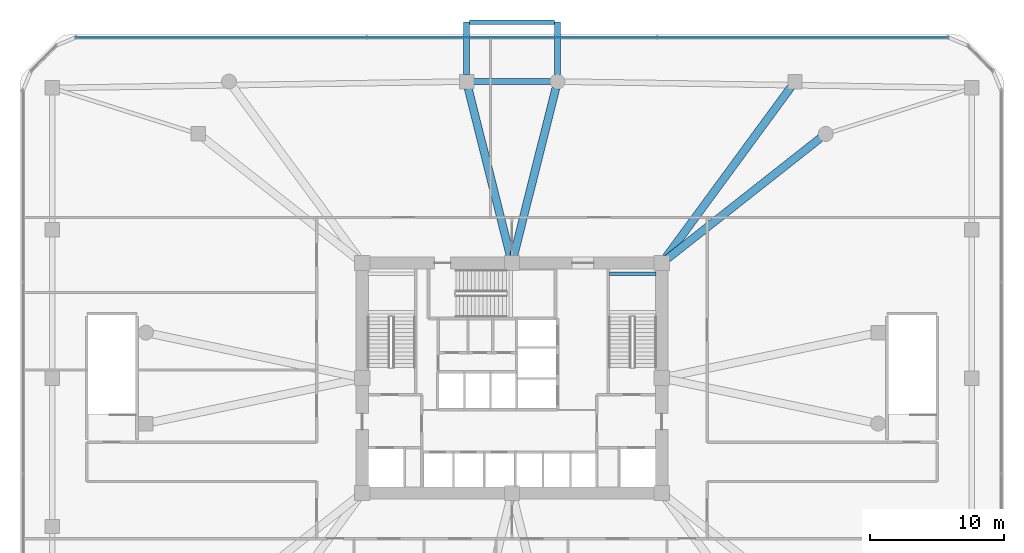
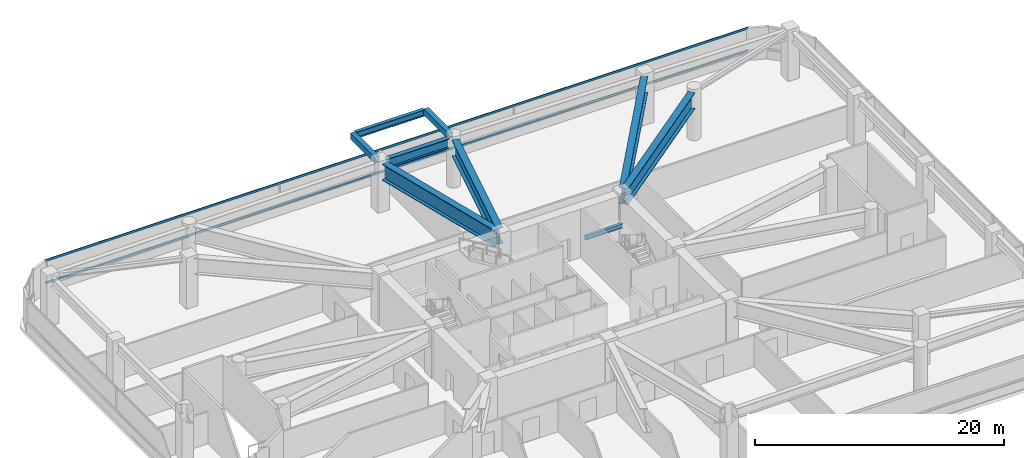
# One storey, part 7 of 21: 9 beams, 2 members, 1 element without a shape of its own.
"""IFC4 building model written with IfcOpenShell, lengths in metres."""

from ifc_helpers import new_model, si_unit, derived_unit, direction, frame, origin, origin_2d, place, context, subcontext, project, spatial, rectangle, i_section, extrude, material, material_profile, profile_set, type_object, element, aggregate, save


model = new_model("IFC4")

# Units and contexts
model_context = context("Model", 3, precision=1e-05, world=origin(), true_north=direction((0.0, 1.0)))
body_context = subcontext(model_context, "Body", "Model", "MODEL_VIEW")
ifc_project = project(units=[si_unit("LENGTHUNIT", "METRE"), si_unit("AREAUNIT", "SQUARE_METRE"), si_unit("VOLUMEUNIT", "CUBIC_METRE"), si_unit("PLANEANGLEUNIT", "RADIAN"), si_unit("MASSUNIT", "GRAM", prefix="KILO"), derived_unit("THERMALTRANSMITTANCEUNIT", [(si_unit("POWERUNIT", "WATT"), 1), (si_unit("LENGTHUNIT", "METRE"), -2), (si_unit("THERMODYNAMICTEMPERATUREUNIT", "KELVIN"), -1)])], contexts=[model_context])

# Site, building, storey
site_placement = place(None, origin())
site = spatial("IfcSite", under=ifc_project, at=site_placement, CompositionType="ELEMENT")
building_placement = place(site_placement, origin())
building = spatial("IfcBuilding", under=site, at=building_placement, Name="Koralith Skygarden Medical Center", CompositionType="ELEMENT")
storey_placement = place(building_placement, frame((0.0, 0.0, 18.89990234375)))
storey = spatial("IfcBuildingStorey", under=building, at=storey_placement, Name="L04", CompositionType="ELEMENT", Elevation=18.89990234375)

# Curtain wall, members
ifc_material_1 = material(Name="Clear Laminated Glass", Category="glass")
curtain_wall_type = type_object("IfcCurtainWallType", Name="CW-1 Transit & Podium Acoustic Curtain Wall", PredefinedType="NOTDEFINED", material=ifc_material_1)
curtain_wall_placement = place(storey_placement, origin())
curtain_wall = element("IfcCurtainWall", 1, at=curtain_wall_placement, inside=storey, type_object=curtain_wall_type, Name="Curtain Wall CW-L04-N", PredefinedType="NOTDEFINED")
ifc_material_2 = material(Name="Aluminium 6063-T6", Category="aluminium")
ifc_material_profile_1 = material_profile(ifc_material_2, rectangle(XDim=0.06298828125, YDim=0.216064453125, at=origin_2d()), Name="TRN63X216")
ifc_profile_set_1 = profile_set([ifc_material_profile_1], Name="Aluminium 6063-T6")
member_type = type_object("IfcMemberType", Name="CW-1 Thermal Transom 63x216", PredefinedType="USERDEFINED", material=ifc_profile_set_1)
member_1_placement = place(storey_placement, frame((69.62109375, 51.3798828125, 0.900146484375), z_axis=(-1.0, 0.0, 0.0), x_axis=(0.0, -1.0, 0.0)))
member_1 = element("IfcMember", 2, at=member_1_placement, type_object=member_type, Name="CW-L04-N Transom 1", ObjectType="TRANSOM", PredefinedType="USERDEFINED", context=body_context, shape_type="SweptSolid", body=[
    extrude(rectangle(XDim=0.06298828125, YDim=0.216064453125, at=origin_2d()), origin(), (0.0, 0.0, 1.0), 65.2421875),
])
member_2_placement = place(storey_placement, frame((69.62109375, 51.3798828125, 3.10009765625), z_axis=(-1.0, 0.0, 0.0), x_axis=(0.0, -1.0, 0.0)))
member_2 = element("IfcMember", 3, at=member_2_placement, type_object=member_type, Name="CW-L04-N Transom 2", ObjectType="TRANSOM", PredefinedType="USERDEFINED", context=body_context, shape_type="SweptSolid", body=[
    extrude(rectangle(XDim=0.06298828125, YDim=0.216064453125, at=origin_2d()), origin(), (0.0, 0.0, 1.0), 65.2421875),
])
aggregate(curtain_wall, [member_1, member_2])

# Beams
ifc_material_3 = material(Name="Steel ASTM A992 Grade 50", Category="steel")
ifc_material_profile_2 = material_profile(ifc_material_3, i_section(OverallWidth=0.326904296875, OverallDepth=0.6220703125, WebThickness=0.015380859375, FlangeThickness=0.0244140625, at=origin_2d()), Name="W24X131")
ifc_profile_set_2 = profile_set([ifc_material_profile_2], Name="Steel ASTM A992 Grade 50")
beam_type_1 = type_object("IfcBeamType", Name="Cantilever Tie Beam W24X131", PredefinedType="BEAM", material=ifc_profile_set_2)
beam_1_placement = place(storey_placement, frame((33.820068359375, 52.52001953125, 4.468994140625), z_axis=(1.0, 0.0, 0.0), x_axis=(0.0, 1.0, 0.0)))
element("IfcBeam", 4, at=beam_1_placement, inside=storey, type_object=beam_type_1, Name="L05 N Balcony Tip Tie Beam", PredefinedType="BEAM", context=body_context, shape_type="SweptSolid", body=[
    extrude(i_section(OverallWidth=0.326904296875, OverallDepth=0.6220703125, WebThickness=0.015380859375, FlangeThickness=0.0244140625, at=origin_2d()), origin(), (0.0, 0.0, 1.0), 6.35986328125),
])
ifc_material_profile_3 = material_profile(ifc_material_3, i_section(OverallWidth=0.260009765625, OverallDepth=0.4150390625, WebThickness=0.010009765625, FlangeThickness=0.016845703125, at=origin_2d()), Name="W16X67")
ifc_profile_set_3 = profile_set([ifc_material_profile_3], Name="Steel ASTM A992 Grade 50")
beam_type_2 = type_object("IfcBeamType", Name="Clinical Floor Joist W16X67", PredefinedType="JOIST", material=ifc_profile_set_3)
beam_2_placement = place(storey_placement, frame((44.280029296875, 33.699951171875, 2.113037109375), z_axis=(1.0, 0.0, 0.0), x_axis=(0.0, 1.0, 0.0)))
element("IfcBeam", 5, at=beam_2_placement, inside=storey, type_object=beam_type_2, Name="L04 Stair ST2 Half-Landing Support Beam 1B", PredefinedType="JOIST", context=body_context, shape_type="SweptSolid", body=[
    extrude(i_section(OverallWidth=0.260009765625, OverallDepth=0.4150390625, WebThickness=0.010009765625, FlangeThickness=0.016845703125, at=origin_2d()), origin(), (0.0, 0.0, 1.0), 3.489990234375),
])
ifc_material_4 = material(Name="Concrete C45/55", Category="concrete")
ifc_material_profile_4 = material_profile(ifc_material_4, rectangle(XDim=0.449951171875, YDim=0.60009765625, at=origin_2d()), Name="RCB450X600")
ifc_profile_set_4 = profile_set([ifc_material_profile_4], Name="Concrete C45/55")
beam_type_3 = type_object("IfcBeamType", Name="Planted Balcony Cantilever Beam RCB450X600", PredefinedType="BEAM", material=ifc_profile_set_4)
for number, where, z_axis, x_axis, name in (
    (6, (33.60009765625, 48.60009765625, 4.47998046875), (0.0, 1.0, 0.0), (-1.0, 0.0, 0.0), "L05 N Balcony Cantilever Beam A"),
    (7, (40.39990234375, 48.60009765625, 4.47998046875), (0.0, 1.0, 0.0), (-1.0, 0.0, 0.0), "L05 N Balcony Cantilever Beam B"),
):
    element("IfcBeam", number, at=place(storey_placement, frame(where, z_axis=z_axis, x_axis=x_axis)), inside=storey, type_object=beam_type_3, Name=name, PredefinedType="BEAM", context=body_context, shape_type="SweptSolid", body=[
        extrude(rectangle(XDim=0.449951171875, YDim=0.60009765625, at=origin_2d()), origin(), (0.0, 0.0, 1.0), 3.919921875),
    ])
ifc_material_profile_5 = material_profile(ifc_material_3, i_section(OverallWidth=0.423095703125, OverallDepth=0.947998046875, WebThickness=0.02392578125, FlangeThickness=0.042724609375, at=origin_2d()), Name="W36X302")
ifc_profile_set_5 = profile_set([ifc_material_profile_5], Name="Steel ASTM A992 Grade 50")
beam_type_4 = type_object("IfcBeamType", Name="Podium Concourse Girder W36X302", PredefinedType="BEAM", material=ifc_profile_set_5)
beam_3_placement = place(storey_placement, frame((39.8798828125, 48.080078125, 4.2861328125), z_axis=(-1.0, 0.0, 0.0), x_axis=(0.0, -1.0, 0.0)))
element("IfcBeam", 8, at=beam_3_placement, inside=storey, type_object=beam_type_4, Name="L04 Podium Perimeter Beam PB-10", PredefinedType="BEAM", context=body_context, shape_type="SweptSolid", body=[
    extrude(i_section(OverallWidth=0.423095703125, OverallDepth=0.947998046875, WebThickness=0.02392578125, FlangeThickness=0.042724609375, at=origin_2d()), origin(), (0.0, 0.0, 1.0), 5.759765625),
])
ifc_material_profile_6 = material_profile(ifc_material_3, i_section(OverallWidth=0.60009765625, OverallDepth=1.60009765625, WebThickness=0.031982421875, FlangeThickness=0.06005859375, at=origin_2d()), Name="BG1600X600X60X32")
ifc_profile_set_6 = profile_set([ifc_material_profile_6], Name="Steel ASTM A992 Grade 50")
beam_type_5 = type_object("IfcBeamType", Name="Podium Transfer Girder BG1600", PredefinedType="USERDEFINED", material=ifc_profile_set_6)
beam_4_placement = place(storey_placement, frame((48.639892578125, 34.846923828125, 3.960205078125), z_axis=(0.785504791859, 0.618855574401, 0.0), x_axis=(-0.618855574401, 0.785504791859, 0.0)))
element("IfcBeam", 9, at=beam_4_placement, inside=storey, type_object=beam_type_5, Name="L04 Podium Radial Girder PRG-10", ObjectType="TRANSFER GIRDER", PredefinedType="USERDEFINED", context=body_context, shape_type="SweptSolid", body=[
    extrude(i_section(OverallWidth=0.60009765625, OverallDepth=1.60009765625, WebThickness=0.031982421875, FlangeThickness=0.06005859375, at=origin_2d()), origin(), (0.0, 0.0, 1.0), 14.5283203125),
])
beam_5_placement = place(storey_placement, frame((48.531005859375, 34.950927734375, 3.960205078125), z_axis=(0.591712691958, 0.806148925556, 0.0), x_axis=(-0.806148925556, 0.591712691958, 0.0)))
element("IfcBeam", 10, at=beam_5_placement, inside=storey, type_object=beam_type_5, Name="L04 Podium Radial Girder PRG-11", ObjectType="TRANSFER GIRDER", PredefinedType="USERDEFINED", context=body_context, shape_type="SweptSolid", body=[
    extrude(i_section(OverallWidth=0.60009765625, OverallDepth=1.60009765625, WebThickness=0.031982421875, FlangeThickness=0.06005859375, at=origin_2d()), origin(), (0.0, 0.0, 1.0), 15.766357421875),
])
for number, where, z_axis, x_axis, name in (
    (11, (37.135986328125, 35.04296875, 3.960205078125), (0.242877971824, 0.970056849263, 0.0), (-0.970056849263, 0.242877971824, 0.0), "L04 Podium Radial Girder PRG-12"),
    (12, (36.864013671875, 35.04296875, 3.960205078125), (-0.242877971824, 0.970056849263, 0.0), (-0.970056849263, -0.242877971824, 0.0), "L04 Podium Radial Girder PRG-13"),
):
    element("IfcBeam", number, at=place(storey_placement, frame(where, z_axis=z_axis, x_axis=x_axis)), inside=storey, type_object=beam_type_5, Name=name, ObjectType="TRANSFER GIRDER", PredefinedType="USERDEFINED", context=body_context, shape_type="SweptSolid", body=[
        extrude(i_section(OverallWidth=0.60009765625, OverallDepth=1.60009765625, WebThickness=0.031982421875, FlangeThickness=0.06005859375, at=origin_2d()), origin(), (0.0, 0.0, 1.0), 12.919921875),
    ])

save(model, "model.ifc")
